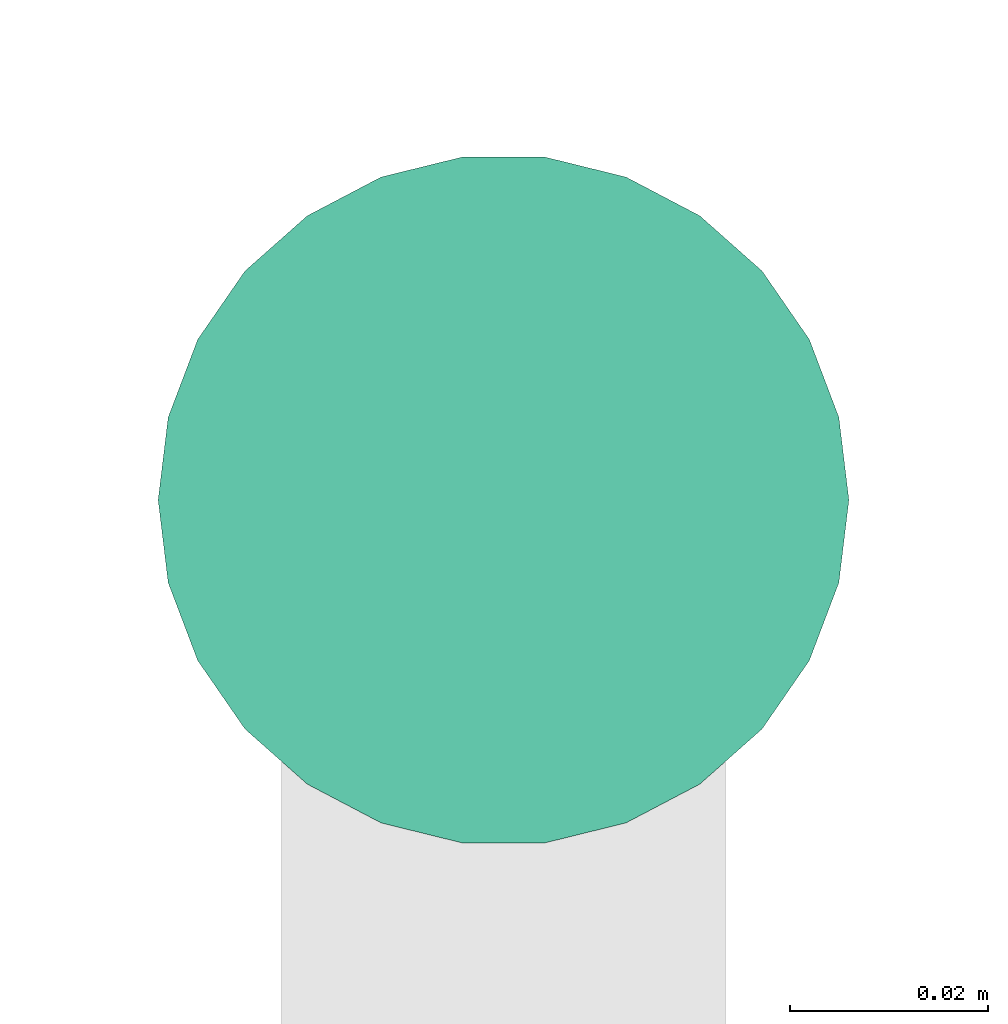
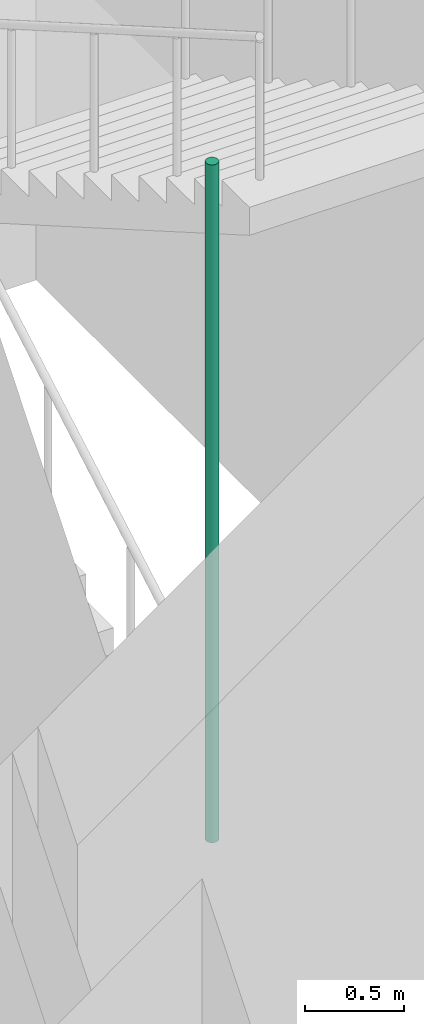
# One storey, part 34 of 38: 1 pipe segment.
"""IFC4 building model written with IfcOpenShell, lengths in metres."""

from ifc_helpers import new_model, si_unit, direction, frame, origin, origin_2d, place, context, subcontext, project, spatial, circle, extrude, element, save


model = new_model("IFC4")

# Units and contexts
model_context = context("Model", 3, precision=1e-05, world=origin(), true_north=direction((0.0, 1.0)))
body_context = subcontext(model_context, "Body", "Model", "MODEL_VIEW")
ifc_project = project(units=[si_unit("LENGTHUNIT", "METRE"), si_unit("AREAUNIT", "SQUARE_METRE"), si_unit("VOLUMEUNIT", "CUBIC_METRE"), si_unit("PLANEANGLEUNIT", "RADIAN"), si_unit("MASSUNIT", "GRAM", prefix="KILO")], contexts=[model_context])

# Site, building, storey
site_placement = place(None, origin())
site = spatial("IfcSite", under=ifc_project, at=site_placement, CompositionType="ELEMENT")
building_placement = place(site_placement, origin())
building = spatial("IfcBuilding", under=site, at=building_placement, Name="Nzadi Deep Aquarium and Research Tower", CompositionType="ELEMENT")
storey_placement = place(building_placement, frame((0.0, 0.0, 52.89990234375)))
storey = spatial("IfcBuildingStorey", under=building, at=storey_placement, Name="L10", CompositionType="ELEMENT", Elevation=52.89990234375)

# Pipe segment
pipe_segment_placement = place(storey_placement, frame((2.300048828125, 12.320068359375, 0.0), z_axis=(0.0, 0.0, 1.0), x_axis=(1.0, 0.0, 0.0)))
element("IfcPipeSegment", 1, at=pipe_segment_placement, inside=storey, Name="Dry riser ST-Z1-SW L10", PredefinedType="RIGIDSEGMENT", context=body_context, shape_type="SweptSolid", body=[
    extrude(circle(Radius=0.034912109375, at=origin_2d()), origin(), (0.0, 0.0, 1.0), 4.2001953125),
])

save(model, "model.ifc")
